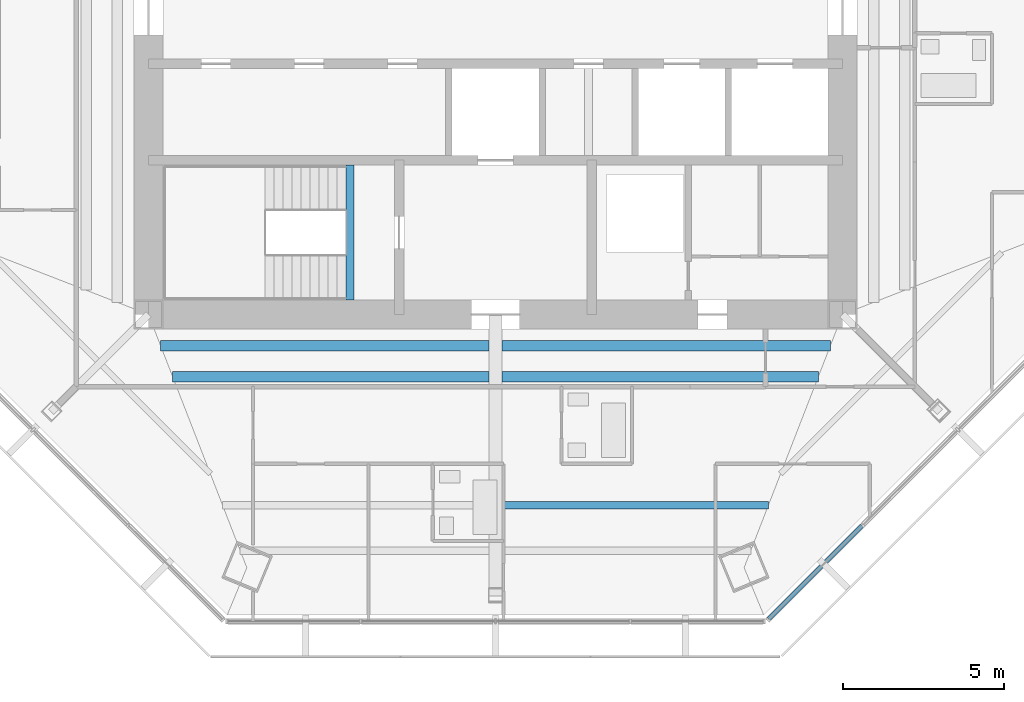
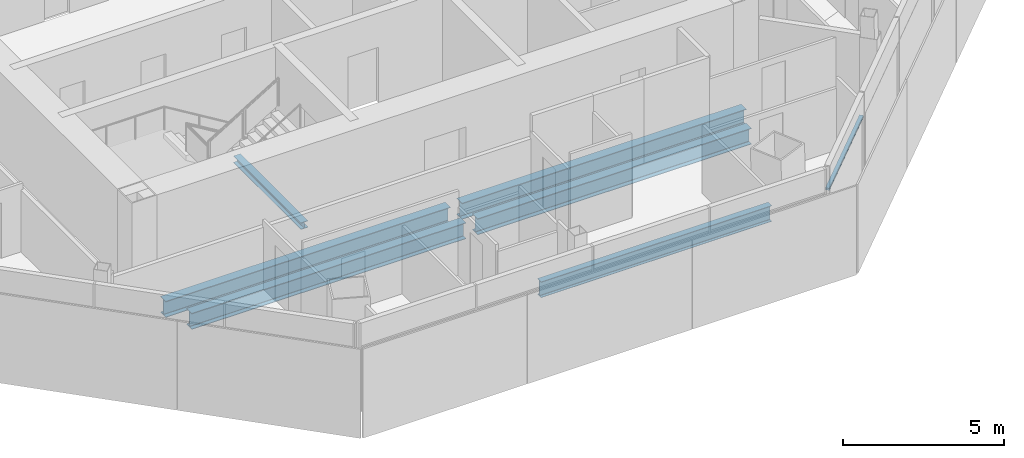
# One storey, part 3 of 15: 6 beams, 1 member, 1 element without a shape of its own.
"""IFC4 building model written with IfcOpenShell, lengths in metres."""

from ifc_helpers import new_model, si_unit, direction, frame, origin, origin_2d, place, context, subcontext, project, spatial, rectangle, i_section, extrude, source, transform, mapped, material, material_profile, profile_set, type_object, type_shapes, element, aggregate, save


model = new_model("IFC4")

# Units and contexts
model_context = context("Model", 3, precision=1e-05, world=origin(), true_north=direction((0.0, 1.0)))
body_context = subcontext(model_context, "Body", "Model", "MODEL_VIEW")
ifc_project = project(units=[si_unit("LENGTHUNIT", "METRE"), si_unit("AREAUNIT", "SQUARE_METRE"), si_unit("VOLUMEUNIT", "CUBIC_METRE"), si_unit("PLANEANGLEUNIT", "RADIAN"), si_unit("MASSUNIT", "GRAM", prefix="KILO")], contexts=[model_context])

# Site, building, storey
site_placement = place(None, origin())
site = spatial("IfcSite", under=ifc_project, at=site_placement, CompositionType="ELEMENT")
building_placement = place(site_placement, origin())
building = spatial("IfcBuilding", under=site, at=building_placement, Name="Mashrafa Tower", CompositionType="ELEMENT")
storey_placement = place(building_placement, frame((0.0, 0.0, 270.800048828125)))
storey = spatial("IfcBuildingStorey", under=building, at=storey_placement, Name="L65", CompositionType="ELEMENT", Elevation=270.800048828125)

# Beams
ifc_material_1 = material(Name="Steel ASTM A992", Category="steel")
ifc_material_profile_1 = material_profile(ifc_material_1, i_section(OverallWidth=0.3251953125, OverallDepth=0.612060546875, WebThickness=0.0126953125, FlangeThickness=0.01904296875, FilletRadius=0.0126953125, at=origin_2d()), Name="W24X104")
ifc_profile_set_1 = profile_set([ifc_material_profile_1], Name="Steel ASTM A992")
beam_type_1 = type_object("IfcBeamType", Name="Beam W24X104", PredefinedType="BEAM", material=ifc_profile_set_1)
beam_1_placement = place(storey_placement, frame((-0.20947265625, -12.740966796875, -0.506103515625), z_axis=(-1.0, 0.0, 0.0), x_axis=(0.0, -1.0, 0.0)))
element("IfcBeam", 1, at=beam_1_placement, inside=storey, type_object=beam_type_1, Name="Floor beam L65 019", PredefinedType="BEAM", context=body_context, shape_type="SweptSolid", body=[
    extrude(i_section(OverallWidth=0.3251953125, OverallDepth=0.612060546875, WebThickness=0.0126953125, FlangeThickness=0.01904296875, FilletRadius=0.0126953125, at=origin_2d()), origin(), (0.0, 0.0, 1.0), 9.83642578125),
])
beam_2_placement = place(storey_placement, frame((-0.20947265625, -11.7705078125, -0.506103515625), z_axis=(-1.0, 0.0, 0.0), x_axis=(0.0, -1.0, 0.0)))
element("IfcBeam", 2, at=beam_2_placement, inside=storey, type_object=beam_type_1, Name="Floor beam L65 020", PredefinedType="BEAM", context=body_context, shape_type="SweptSolid", body=[
    extrude(i_section(OverallWidth=0.3251953125, OverallDepth=0.612060546875, WebThickness=0.0126953125, FlangeThickness=0.01904296875, FilletRadius=0.0126953125, at=origin_2d()), origin(), (0.0, 0.0, 1.0), 10.213623046875),
])
beam_3_placement = place(storey_placement, frame((10.0458984375, -12.740966796875, -0.506103515625), z_axis=(-1.0, 0.0, 0.0), x_axis=(0.0, -1.0, 0.0)))
element("IfcBeam", 3, at=beam_3_placement, inside=storey, type_object=beam_type_1, Name="Floor beam L65 028", PredefinedType="BEAM", context=body_context, shape_type="SweptSolid", body=[
    extrude(i_section(OverallWidth=0.3251953125, OverallDepth=0.612060546875, WebThickness=0.0126953125, FlangeThickness=0.01904296875, FilletRadius=0.0126953125, at=origin_2d()), origin(), (0.0, 0.0, 1.0), 9.83642578125),
])
beam_4_placement = place(storey_placement, frame((10.423095703125, -11.7705078125, -0.506103515625), z_axis=(-1.0, 0.0, 0.0), x_axis=(0.0, -1.0, 0.0)))
element("IfcBeam", 4, at=beam_4_placement, inside=storey, type_object=beam_type_1, Name="Floor beam L65 029", PredefinedType="BEAM", context=body_context, shape_type="SweptSolid", body=[
    extrude(i_section(OverallWidth=0.3251953125, OverallDepth=0.612060546875, WebThickness=0.0126953125, FlangeThickness=0.01904296875, FilletRadius=0.0126953125, at=origin_2d()), origin(), (0.0, 0.0, 1.0), 10.213623046875),
])
ifc_material_2 = material(Name="Steel ASTM A992", Category="steel")
ifc_material_profile_2 = material_profile(ifc_material_2, i_section(OverallWidth=0.227783203125, OverallDepth=0.60205078125, WebThickness=0.010498046875, FlangeThickness=0.014892578125, FilletRadius=0.012939453125, at=origin_2d()), Name="W24X68")
ifc_profile_set_2 = profile_set([ifc_material_profile_2], Name="Steel ASTM A992")
beam_type_2 = type_object("IfcBeamType", Name="Beam W24X68", PredefinedType="BEAM", material=ifc_profile_set_2)
beam_5_placement = place(storey_placement, frame((8.4921875, -16.740966796875, -0.5009765625), z_axis=(-1.0, 0.0, 0.0), x_axis=(0.0, -1.0, 0.0)))
element("IfcBeam", 5, at=beam_5_placement, inside=storey, type_object=beam_type_2, Name="Floor beam L65 026", PredefinedType="BEAM", context=body_context, shape_type="SweptSolid", body=[
    extrude(i_section(OverallWidth=0.227783203125, OverallDepth=0.60205078125, WebThickness=0.010498046875, FlangeThickness=0.014892578125, FilletRadius=0.012939453125, at=origin_2d()), origin(), (0.0, 0.0, 1.0), 8.28271484375),
])
ifc_material_3 = material(Name="Steel ASTM A992", Category="steel")
ifc_material_profile_3 = material_profile(ifc_material_3, i_section(OverallWidth=0.25390625, OverallDepth=0.25390625, WebThickness=0.008544921875, FlangeThickness=0.01416015625, FilletRadius=0.010009765625, at=origin_2d()), Name="W10X49")
ifc_profile_set_3 = profile_set([ifc_material_profile_3], Name="Steel ASTM A992")
beam_type_3 = type_object("IfcBeamType", Name="Hoistway beam W10X49", PredefinedType="BEAM", material=ifc_profile_set_3)
beam_6_placement = place(storey_placement, frame((-4.530029296875, -10.35009765625, -0.3271484375), z_axis=(0.0, 1.0, 0.0), x_axis=(-1.0, 0.0, 0.0)))
element("IfcBeam", 6, at=beam_6_placement, inside=storey, type_object=beam_type_3, Name="Stair S3 landing beam L65", PredefinedType="BEAM", context=body_context, shape_type="SweptSolid", body=[
    extrude(i_section(OverallWidth=0.25390625, OverallDepth=0.25390625, WebThickness=0.008544921875, FlangeThickness=0.01416015625, FilletRadius=0.010009765625, at=origin_2d()), origin(), (0.0, 0.0, 1.0), 4.2001953125),
])

# Curtain wall, member
ifc_material_4 = material(Name="Unitised aluminium curtain wall", Category="aluminium")
curtain_wall_type = type_object("IfcCurtainWallType", Name="Apartment curtain wall, zone 4 CW-D 160 deep", PredefinedType="NOTDEFINED", material=ifc_material_4)
curtain_wall_placement = place(storey_placement, origin())
curtain_wall = element("IfcCurtainWall", 7, at=curtain_wall_placement, inside=storey, type_object=curtain_wall_type, Name="Apartment curtain wall, zone 4 L65 south-east", PredefinedType="NOTDEFINED")
ifc_material_5 = material(Name="Extruded aluminium transom", Category="aluminium")
ifc_material_profile_4 = material_profile(ifc_material_5, rectangle(XDim=0.1279296875, YDim=0.074951171875, at=origin_2d()), Name="Transom 75x128")
ifc_profile_set_4 = profile_set([ifc_material_profile_4], Name="Extruded aluminium transom")
member_type = type_object("IfcMemberType", Name="Transom CW-D 75 x 128", PredefinedType="MULLION", material=ifc_profile_set_4)
shared_shape = source(origin(), body_context, "Body", "SweptSolid", [
    extrude(rectangle(XDim=0.1279296875, YDim=0.074951171875, at=origin_2d()), origin(), (0.0, 0.0, 1.0), 4.103759765625),
])
type_shapes(member_type, [shared_shape])
member_placement = place(storey_placement, frame((8.50390625, -20.28125, 2.5), z_axis=(0.707106781187, 0.707106781187, 0.0), x_axis=(-0.707106781187, 0.707106781187, 0.0)))
member = element("IfcMember", 8, at=member_placement, type_object=member_type, Name="CW-D transom 1", PredefinedType="MULLION", context=body_context, shape_type="MappedRepresentation", body=[
    mapped(shared_shape, transform((0.0, 0.0, 0.0))),
])
aggregate(curtain_wall, [member])

save(model, "model.ifc")
